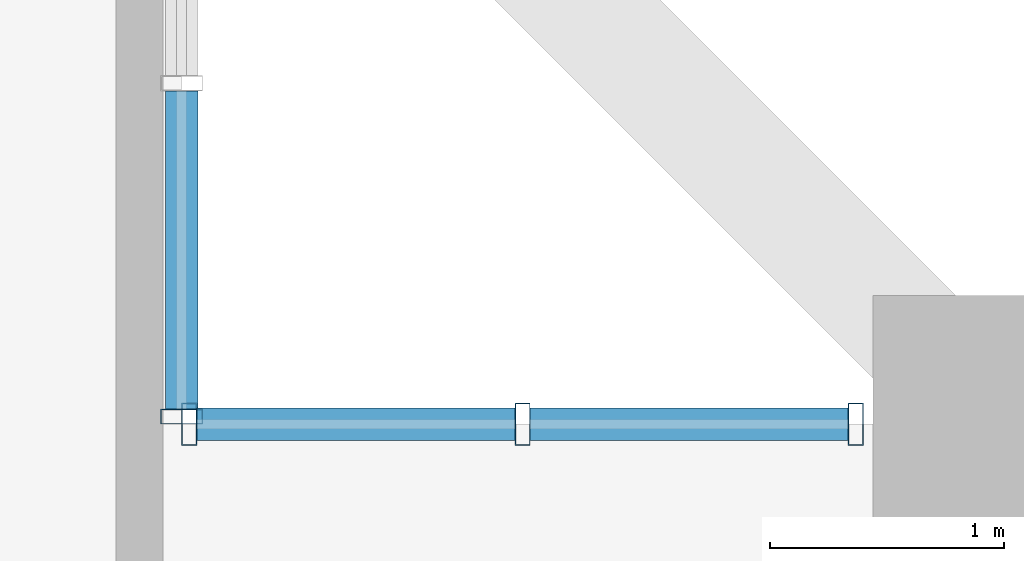
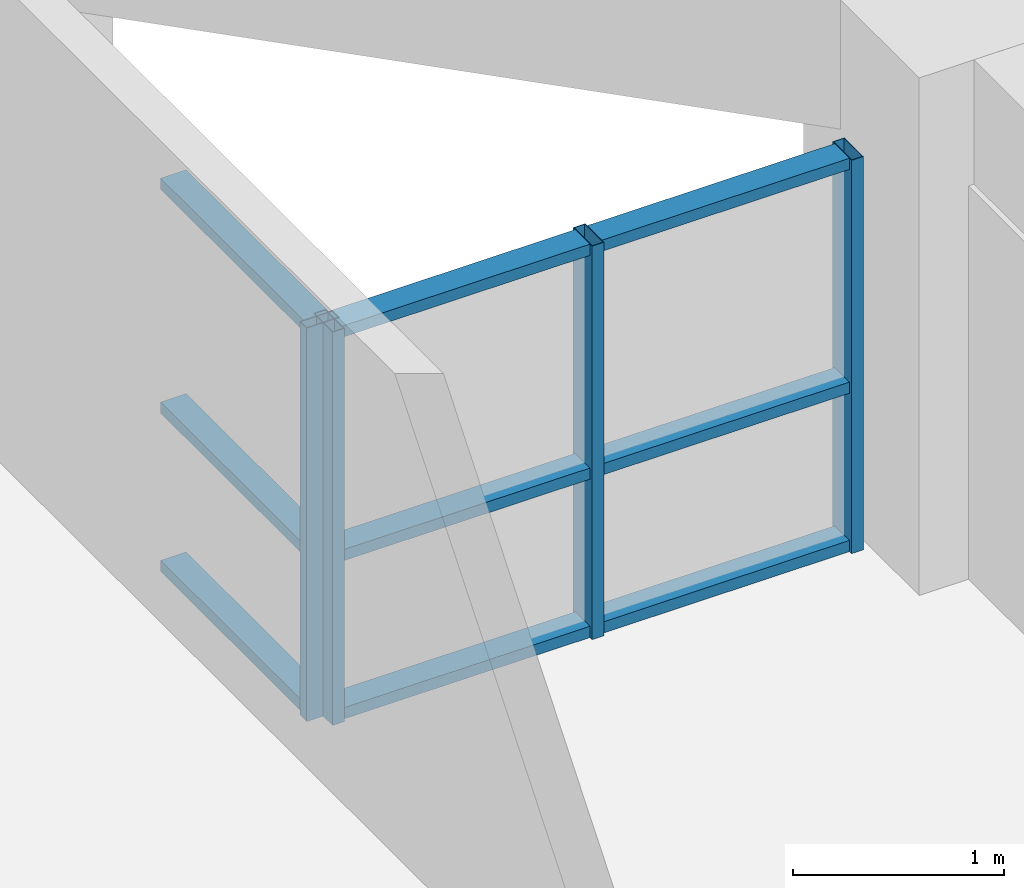
# One storey, part 10 of 28: 13 members, 2 elements without a shape of their own.
"""IFC4 building model written with IfcOpenShell, lengths in metres."""

from ifc_helpers import new_model, si_unit, direction, frame, origin, origin_2d, place, context, subcontext, project, spatial, hollow_rectangle, extrude, source, transform, mapped, material, layer, layer_set, material_profile, profile_set, type_object, element, aggregate, save


model = new_model("IFC4")

# Units and contexts
model_context = context("Model", 3, precision=1e-05, world=origin(), true_north=direction((0.0, 1.0)))
body_context = subcontext(model_context, "Body", "Model", "MODEL_VIEW")
ifc_project = project(units=[si_unit("LENGTHUNIT", "METRE"), si_unit("AREAUNIT", "SQUARE_METRE"), si_unit("VOLUMEUNIT", "CUBIC_METRE"), si_unit("PLANEANGLEUNIT", "RADIAN"), si_unit("MASSUNIT", "GRAM", prefix="KILO")], contexts=[model_context])

# Site, building, storey
site_placement = place(None, origin())
site = spatial("IfcSite", under=ifc_project, at=site_placement, CompositionType="ELEMENT")
building_placement = place(site_placement, origin())
building = spatial("IfcBuilding", under=site, at=building_placement, Name="Saelheon Loggia Tower", CompositionType="ELEMENT")
storey_placement = place(building_placement, frame((0.0, 0.0, 25.39990234375)))
storey = spatial("IfcBuildingStorey", under=building, at=storey_placement, Name="L07", CompositionType="ELEMENT", Elevation=25.39990234375)

# Curtain wall, member
ifc_material_1 = material(Name="Thermal-Break Aluminium and Triple Low-E Glass", Category="aluminium")
ifc_layer = layer(ifc_material_1, 0.159912109375)
ifc_layer_set = layer_set([ifc_layer], Name="Thermal-Break Aluminium and Triple Low-E Glass")
curtain_wall_type = type_object("IfcCurtainWallType", Name="CW_TowerLoggiaLow", PredefinedType="NOTDEFINED", material=ifc_layer_set)
curtain_wall_1_placement = place(storey_placement, origin())
curtain_wall_1 = element("IfcCurtainWall", 1, at=curtain_wall_1_placement, inside=storey, type_object=curtain_wall_type, Name="L07 Corner Notch Glazing NE1", PredefinedType="NOTDEFINED")
ifc_material_2 = material(Name="Anodised Aluminium 6063-T6", Category="aluminium")
ifc_material_profile_1 = material_profile(ifc_material_2, hollow_rectangle(XDim=0.06494140625, YDim=0.179931640625, WallThickness=0.00390625, at=origin_2d()), Name="RHS-180x65x4")
ifc_profile_set_1 = profile_set([ifc_material_profile_1], Name="Anodised Aluminium 6063-T6")
member_type_1 = type_object("IfcMemberType", Name="CW_TowerLoggiaLow_Mullion", PredefinedType="MULLION", material=ifc_profile_set_1)
shared_shape_1 = source(origin(), body_context, "Body", "SweptSolid", [
    extrude(hollow_rectangle(XDim=0.06494140625, YDim=0.179931640625, WallThickness=0.00390625, at=origin_2d()), origin(), (0.0, 0.0, 1.0), 2.280029296875),
])
member_1_placement = place(storey_placement, frame((60.5, 47.532470703125, 0.0), z_axis=(0.0, 0.0, 1.0), x_axis=(0.0, 1.0, 0.0)))
member_1 = element("IfcMember", 2, at=member_1_placement, type_object=member_type_1, Name="CW3 mullion 1", PredefinedType="MULLION", context=body_context, shape_type="MappedRepresentation", body=[
    mapped(shared_shape_1, transform((0.0, 0.0, 0.0), scale=1.0)),
])

# Curtain wall, members
curtain_wall_2_placement = place(storey_placement, origin())
curtain_wall_2 = element("IfcCurtainWall", 3, at=curtain_wall_2_placement, inside=storey, type_object=curtain_wall_type, Name="L07 Corner Notch Glazing NE2", PredefinedType="NOTDEFINED")
member_2_placement = place(storey_placement, frame((60.532470703125, 47.5, 0.0), z_axis=(0.0, 0.0, 1.0), x_axis=(1.0, 0.0, 0.0)))
member_2 = element("IfcMember", 4, at=member_2_placement, type_object=member_type_1, Name="CW3 mullion 1", PredefinedType="MULLION", context=body_context, shape_type="MappedRepresentation", body=[
    mapped(shared_shape_1, transform((0.0, 0.0, 0.0), scale=1.0)),
])
member_3_placement = place(storey_placement, frame((61.955078125, 47.5, 0.0), z_axis=(0.0, 0.0, 1.0), x_axis=(1.0, 0.0, 0.0)))
member_3 = element("IfcMember", 5, at=member_3_placement, type_object=member_type_1, Name="CW3 mullion 2", PredefinedType="MULLION", context=body_context, shape_type="MappedRepresentation", body=[
    mapped(shared_shape_1, transform((0.0, 0.0, 0.0), scale=1.0)),
])
member_4_placement = place(storey_placement, frame((63.37744140625, 47.5, 0.0), z_axis=(0.0, 0.0, 1.0), x_axis=(1.0, 0.0, 0.0)))
member_4 = element("IfcMember", 6, at=member_4_placement, type_object=member_type_1, Name="CW3 mullion 3", PredefinedType="MULLION", context=body_context, shape_type="MappedRepresentation", body=[
    mapped(shared_shape_1, transform((0.0, 0.0, 0.0), scale=1.0)),
])
ifc_material_profile_2 = material_profile(ifc_material_2, hollow_rectangle(XDim=0.06494140625, YDim=0.139892578125, WallThickness=0.00390625, at=origin_2d()), Name="RHS-140x65x4")
ifc_profile_set_2 = profile_set([ifc_material_profile_2], Name="Anodised Aluminium 6063-T6")
member_type_2 = type_object("IfcMemberType", Name="CW_TowerLoggiaLow_Transom", PredefinedType="USERDEFINED", material=ifc_profile_set_2)
shared_shape_2 = source(origin(), body_context, "Body", "SweptSolid", [
    extrude(hollow_rectangle(XDim=0.06494140625, YDim=0.139892578125, WallThickness=0.00390625, at=origin_2d()), origin(), (0.0, 0.0, 1.0), 1.357421875),
])
member_5_placement = place(storey_placement, frame((61.987548828125, 47.5, 0.03271484375), z_axis=(1.0, 0.0, 0.0), x_axis=(0.0, 0.0, 1.0)))
member_5 = element("IfcMember", 7, at=member_5_placement, type_object=member_type_2, Name="CW3 transom 2.1", ObjectType="TRANSOM", PredefinedType="USERDEFINED", context=body_context, shape_type="MappedRepresentation", body=[
    mapped(shared_shape_2, transform((0.0, 0.0, 0.0), scale=1.0)),
])
member_6_placement = place(storey_placement, frame((61.987548828125, 47.5, 0.9501953125), z_axis=(1.0, 0.0, 0.0), x_axis=(0.0, 0.0, 1.0)))
member_6 = element("IfcMember", 8, at=member_6_placement, type_object=member_type_2, Name="CW3 transom 2.2", ObjectType="TRANSOM", PredefinedType="USERDEFINED", context=body_context, shape_type="MappedRepresentation", body=[
    mapped(shared_shape_2, transform((0.0, 0.0, 0.0), scale=1.0)),
])
member_7_placement = place(storey_placement, frame((61.987548828125, 47.5, 2.24755859375), z_axis=(1.0, 0.0, 0.0), x_axis=(0.0, 0.0, 1.0)))
member_7 = element("IfcMember", 9, at=member_7_placement, type_object=member_type_2, Name="CW3 transom 2.3", ObjectType="TRANSOM", PredefinedType="USERDEFINED", context=body_context, shape_type="MappedRepresentation", body=[
    mapped(shared_shape_2, transform((0.0, 0.0, 0.0), scale=1.0)),
])

# Member
shared_shape_3 = source(origin(), body_context, "Body", "SweptSolid", [
    extrude(hollow_rectangle(XDim=0.06494140625, YDim=0.139892578125, WallThickness=0.00390625, at=origin_2d()), origin(), (0.0, 0.0, 1.0), 1.357666015625),
])
member_8_placement = place(storey_placement, frame((60.5, 47.56494140625, 0.03271484375), z_axis=(0.0, 1.0, 0.0), x_axis=(0.0, 0.0, 1.0)))
member_8 = element("IfcMember", 10, at=member_8_placement, type_object=member_type_2, Name="CW3 transom 1.1", ObjectType="TRANSOM", PredefinedType="USERDEFINED", context=body_context, shape_type="MappedRepresentation", body=[
    mapped(shared_shape_3, transform((0.0, 0.0, 0.0), scale=1.0)),
])

member_9_placement = place(storey_placement, frame((60.5, 47.56494140625, 0.9501953125), z_axis=(0.0, 1.0, 0.0), x_axis=(0.0, 0.0, 1.0)))
member_9 = element("IfcMember", 11, at=member_9_placement, type_object=member_type_2, Name="CW3 transom 1.2", ObjectType="TRANSOM", PredefinedType="USERDEFINED", context=body_context, shape_type="MappedRepresentation", body=[
    mapped(shared_shape_3, transform((0.0, 0.0, 0.0), scale=1.0)),
])

member_10_placement = place(storey_placement, frame((60.5, 47.56494140625, 2.24755859375), z_axis=(0.0, 1.0, 0.0), x_axis=(0.0, 0.0, 1.0)))
member_10 = element("IfcMember", 12, at=member_10_placement, type_object=member_type_2, Name="CW3 transom 1.3", ObjectType="TRANSOM", PredefinedType="USERDEFINED", context=body_context, shape_type="MappedRepresentation", body=[
    mapped(shared_shape_3, transform((0.0, 0.0, 0.0), scale=1.0)),
])

aggregate(curtain_wall_1, [member_1, member_8, member_9, member_10])

member_11_placement = place(storey_placement, frame((60.56494140625, 47.5, 0.03271484375), z_axis=(1.0, 0.0, 0.0), x_axis=(0.0, 0.0, 1.0)))
member_11 = element("IfcMember", 13, at=member_11_placement, type_object=member_type_2, Name="CW3 transom 1.1", ObjectType="TRANSOM", PredefinedType="USERDEFINED", context=body_context, shape_type="MappedRepresentation", body=[
    mapped(shared_shape_3, transform((0.0, 0.0, 0.0), scale=1.0)),
])

member_12_placement = place(storey_placement, frame((60.56494140625, 47.5, 0.9501953125), z_axis=(1.0, 0.0, 0.0), x_axis=(0.0, 0.0, 1.0)))
member_12 = element("IfcMember", 14, at=member_12_placement, type_object=member_type_2, Name="CW3 transom 1.2", ObjectType="TRANSOM", PredefinedType="USERDEFINED", context=body_context, shape_type="MappedRepresentation", body=[
    mapped(shared_shape_3, transform((0.0, 0.0, 0.0), scale=1.0)),
])

member_13_placement = place(storey_placement, frame((60.56494140625, 47.5, 2.24755859375), z_axis=(1.0, 0.0, 0.0), x_axis=(0.0, 0.0, 1.0)))
member_13 = element("IfcMember", 15, at=member_13_placement, type_object=member_type_2, Name="CW3 transom 1.3", ObjectType="TRANSOM", PredefinedType="USERDEFINED", context=body_context, shape_type="MappedRepresentation", body=[
    mapped(shared_shape_3, transform((0.0, 0.0, 0.0), scale=1.0)),
])

aggregate(curtain_wall_2, [member_2, member_3, member_4, member_11, member_12, member_13, member_5, member_6, member_7])

save(model, "model.ifc")
